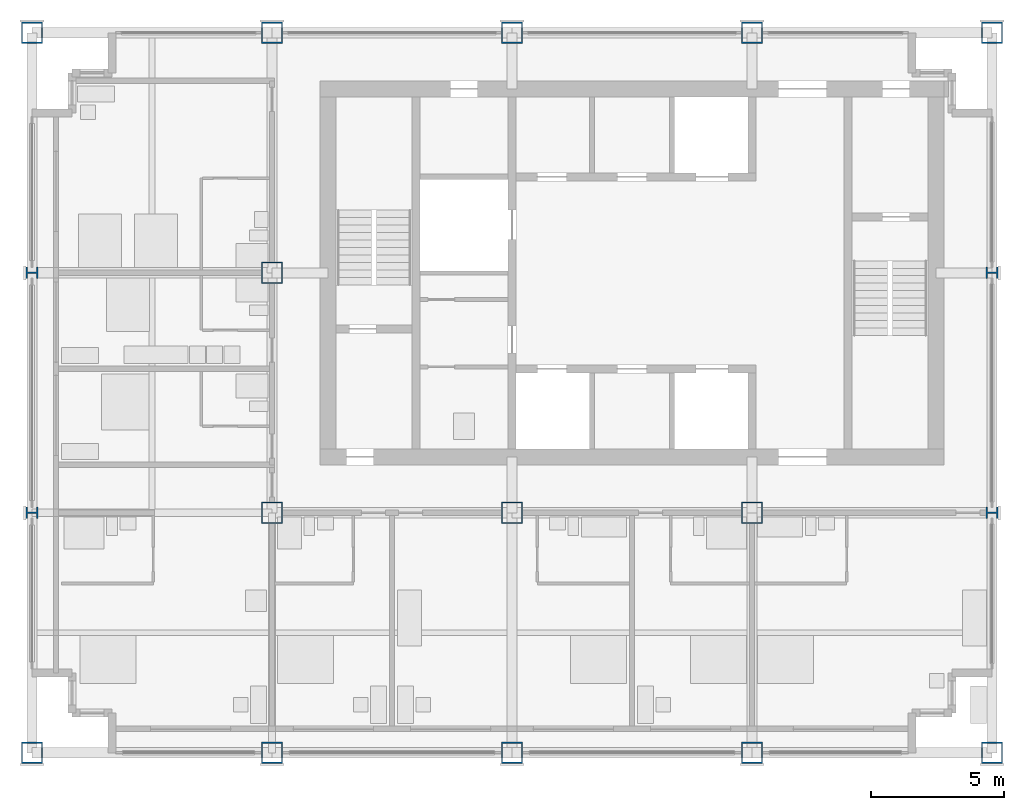
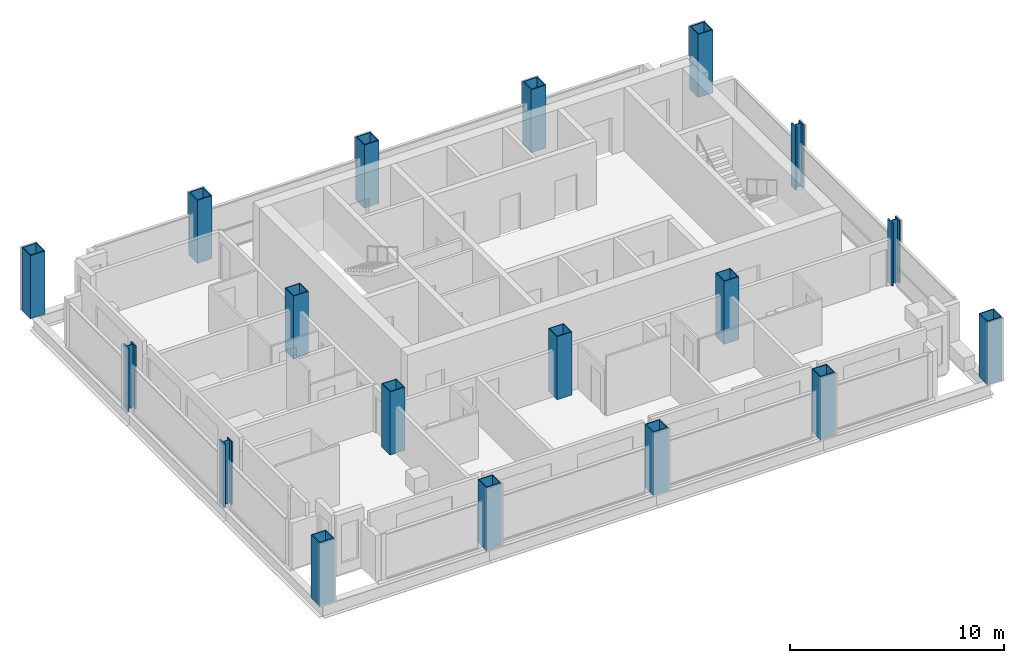
# One storey, part 1 of 12: 18 columns.
"""IFC4 building model written with IfcOpenShell, lengths in metres."""

from ifc_helpers import new_model, si_unit, direction, frame, origin, origin_2d, place, context, subcontext, project, spatial, hollow_rectangle, i_section, extrude, material, material_profile, profile_set, type_object, element, save


model = new_model("IFC4")

# Units and contexts
model_context = context("Model", 3, precision=1e-05, world=origin(), true_north=direction((0.0, 1.0)))
body_context = subcontext(model_context, "Body", "Model", "MODEL_VIEW")
ifc_project = project(units=[si_unit("LENGTHUNIT", "METRE"), si_unit("AREAUNIT", "SQUARE_METRE"), si_unit("VOLUMEUNIT", "CUBIC_METRE"), si_unit("PLANEANGLEUNIT", "RADIAN"), si_unit("MASSUNIT", "GRAM", prefix="KILO")], contexts=[model_context])

# Site, building, storey
site_placement = place(None, origin())
site = spatial("IfcSite", under=ifc_project, at=site_placement, CompositionType="ELEMENT")
building_placement = place(site_placement, origin())
building = spatial("IfcBuilding", under=site, at=building_placement, Name="Loomwork Tower", CompositionType="ELEMENT")
storey_placement = place(building_placement, frame((0.0, 0.0, 233.800048828125)))
storey = spatial("IfcBuildingStorey", under=building, at=storey_placement, Name="L64", CompositionType="ELEMENT", Elevation=233.800048828125)

# Columns
ifc_material_1 = material(Name="Steel ASTM A572 Grade 50 plate", Category="steel")
ifc_material_profile_1 = material_profile(ifc_material_1, hollow_rectangle(XDim=0.800048828125, YDim=0.800048828125, WallThickness=0.050048828125, at=origin_2d()), Name="BOX800x50")
ifc_profile_set_1 = profile_set([ifc_material_profile_1], Name="Steel ASTM A572 Grade 50 plate")
column_type_1 = type_object("IfcColumnType", Name="EXOSKELETON PIER BOX800x50", PredefinedType="COLUMN", material=ifc_profile_set_1)
for number, where, z_axis, x_axis, name in (
    (1, (0.0, 0.0, 0.0), (0.0, 0.0, 1.0), (1.0, 0.0, 0.0), "Exoskeleton Pier D/2 L64"),
    (2, (0.0, 27.0, 0.0), (0.0, 0.0, 1.0), (0.0, 1.0, 0.0), "Exoskeleton Pier G/2 L64"),
    (3, (9.0, 0.0, 0.0), (0.0, 0.0, 1.0), (1.0, 0.0, 0.0), "Exoskeleton Pier D/3 L64"),
    (4, (9.0, 27.0, 0.0), (0.0, 0.0, 1.0), (1.0, 0.0, 0.0), "Exoskeleton Pier G/3 L64"),
    (5, (18.0, 0.0, 0.0), (0.0, 0.0, 1.0), (1.0, 0.0, 0.0), "Exoskeleton Pier D/4 L64"),
    (6, (18.0, 27.0, 0.0), (0.0, 0.0, 1.0), (1.0, 0.0, 0.0), "Exoskeleton Pier G/4 L64"),
    (7, (27.0, 0.0, 0.0), (0.0, 0.0, 1.0), (1.0, 0.0, 0.0), "Exoskeleton Pier D/5 L64"),
    (8, (27.0, 27.0, 0.0), (0.0, 0.0, 1.0), (1.0, 0.0, 0.0), "Exoskeleton Pier G/5 L64"),
    (9, (36.0, 0.0, 0.0), (0.0, 0.0, 1.0), (1.0, 0.0, 0.0), "Exoskeleton Pier D/6 L64"),
    (10, (36.0, 27.0, 0.0), (0.0, 0.0, 1.0), (1.0, 0.0, 0.0), "Exoskeleton Pier G/6 L64"),
):
    element("IfcColumn", number, at=place(storey_placement, frame(where, z_axis=z_axis, x_axis=x_axis)), inside=storey, type_object=column_type_1, Name=name, PredefinedType="COLUMN", context=body_context, shape_type="SweptSolid", body=[
        extrude(hollow_rectangle(XDim=0.800048828125, YDim=0.800048828125, WallThickness=0.050048828125, at=origin_2d()), origin(), (0.0, 0.0, 1.0), 3.599853515625),
    ])
ifc_material_2 = material(Name="Steel ASTM A992", Category="steel")
ifc_material_profile_2 = material_profile(ifc_material_2, i_section(OverallWidth=0.421630859375, OverallDepth=0.46484375, WebThickness=0.044921875, FlangeThickness=0.072509765625, at=origin_2d()), Name="W14x398")
ifc_profile_set_2 = profile_set([ifc_material_profile_2], Name="Steel ASTM A992")
column_type_2 = type_object("IfcColumnType", Name="EXOSKELETON PIER W14x398", PredefinedType="COLUMN", material=ifc_profile_set_2)
for number, where, z_axis, x_axis, name in (
    (11, (0.0, 9.0, 0.0), (0.0, 0.0, 1.0), (0.0, 1.0, 0.0), "Exoskeleton Pier E/2 L64"),
    (12, (0.0, 18.0, 0.0), (0.0, 0.0, 1.0), (0.0, 1.0, 0.0), "Exoskeleton Pier F/2 L64"),
    (13, (36.0, 9.0, 0.0), (0.0, 0.0, 1.0), (0.0, 1.0, 0.0), "Exoskeleton Pier E/6 L64"),
    (14, (36.0, 18.0, 0.0), (0.0, 0.0, 1.0), (0.0, 1.0, 0.0), "Exoskeleton Pier F/6 L64"),
):
    element("IfcColumn", number, at=place(storey_placement, frame(where, z_axis=z_axis, x_axis=x_axis)), inside=storey, type_object=column_type_2, Name=name, PredefinedType="COLUMN", context=body_context, shape_type="SweptSolid", body=[
        extrude(i_section(OverallWidth=0.421630859375, OverallDepth=0.46484375, WebThickness=0.044921875, FlangeThickness=0.072509765625, at=origin_2d()), origin(), (0.0, 0.0, 1.0), 3.599853515625),
    ])
ifc_material_3 = material(Name="Steel ASTM A572 Grade 50 plate", Category="steel")
ifc_material_profile_3 = material_profile(ifc_material_3, hollow_rectangle(XDim=0.800048828125, YDim=0.800048828125, WallThickness=0.0400390625, at=origin_2d()), Name="BOX800x40")
ifc_profile_set_3 = profile_set([ifc_material_profile_3], Name="Steel ASTM A572 Grade 50 plate")
column_type_3 = type_object("IfcColumnType", Name="TOWER COLUMN BOX800x40", PredefinedType="COLUMN", material=ifc_profile_set_3)
for number, where, z_axis, x_axis, name in (
    (15, (9.0, 9.0, 0.0), (0.0, 0.0, 1.0), (1.0, 0.0, 0.0), "Tower Column E/3 L64"),
    (16, (9.0, 18.0, 0.0), (0.0, 0.0, 1.0), (1.0, 0.0, 0.0), "Tower Column F/3 L64"),
    (17, (18.0, 9.0, 0.0), (0.0, 0.0, 1.0), (1.0, 0.0, 0.0), "Tower Column E/4 L64"),
    (18, (27.0, 9.0, 0.0), (0.0, 0.0, 1.0), (1.0, 0.0, 0.0), "Tower Column E/5 L64"),
):
    element("IfcColumn", number, at=place(storey_placement, frame(where, z_axis=z_axis, x_axis=x_axis)), inside=storey, type_object=column_type_3, Name=name, PredefinedType="COLUMN", context=body_context, shape_type="SweptSolid", body=[
        extrude(hollow_rectangle(XDim=0.800048828125, YDim=0.800048828125, WallThickness=0.0400390625, at=origin_2d()), origin(), (0.0, 0.0, 1.0), 3.599853515625),
    ])

save(model, "model.ifc")
